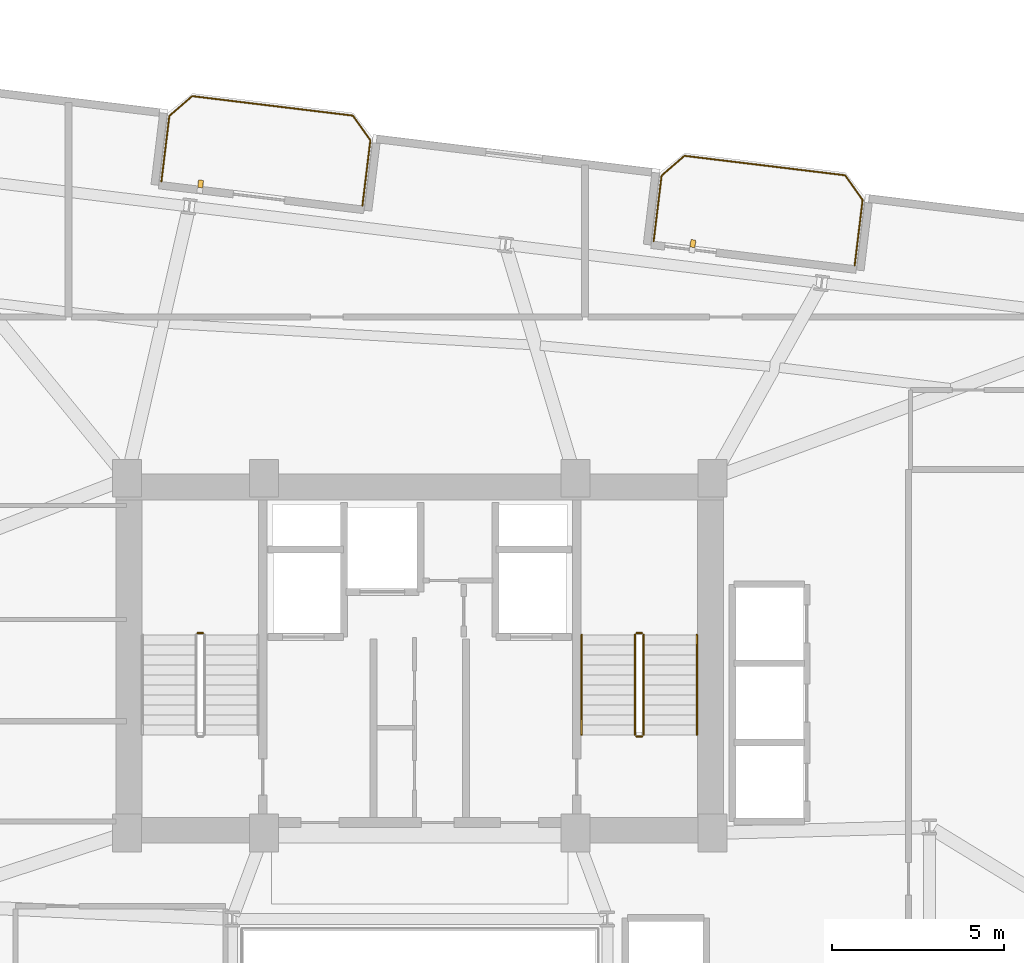
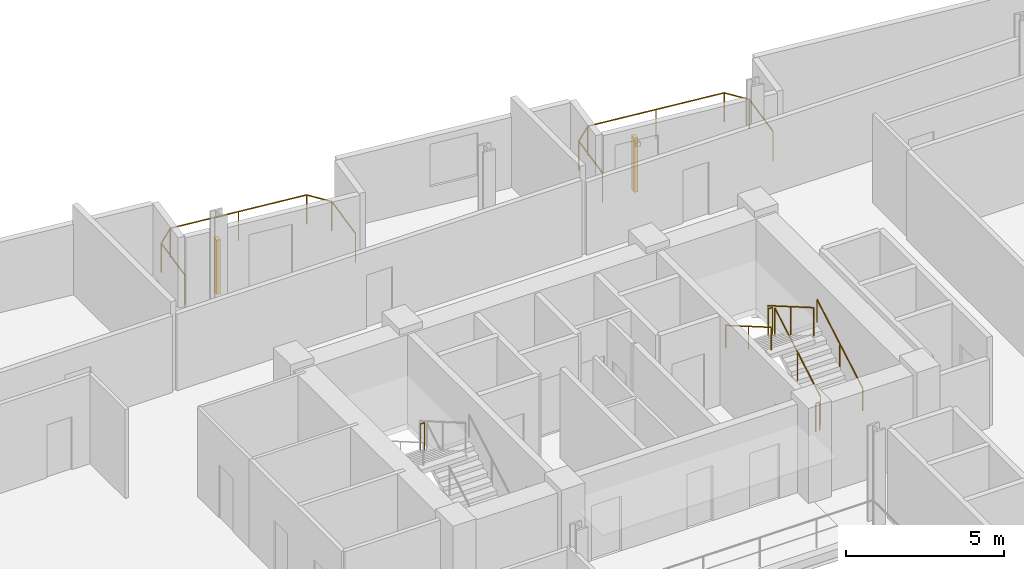
# One storey, part 26 of 26: 9 railings, 2 shading devices.
"""IFC4 building model written with IfcOpenShell, lengths in metres."""

from ifc_helpers import new_model, si_unit, direction, frame, origin, origin_2d, place, context, subcontext, project, spatial, rectangle, circle, extrude, source, transform, mapped, material, type_object, element, save


model = new_model("IFC4")

# Units and contexts
model_context = context("Model", 3, precision=1e-05, world=origin(), true_north=direction((0.0, 1.0)))
body_context = subcontext(model_context, "Body", "Model", "MODEL_VIEW")
ifc_project = project(units=[si_unit("LENGTHUNIT", "METRE"), si_unit("AREAUNIT", "SQUARE_METRE"), si_unit("VOLUMEUNIT", "CUBIC_METRE"), si_unit("PLANEANGLEUNIT", "RADIAN"), si_unit("MASSUNIT", "GRAM", prefix="KILO")], contexts=[model_context])

# Site, building, storey
site_placement = place(None, origin())
site = spatial("IfcSite", under=ifc_project, at=site_placement, CompositionType="ELEMENT")
building_placement = place(site_placement, origin())
building = spatial("IfcBuilding", under=site, at=building_placement, Name="Varnelok Gate Tower", CompositionType="ELEMENT")
storey_placement = place(building_placement, frame((0.0, 0.0, 155.0)))
storey = spatial("IfcBuildingStorey", under=building, at=storey_placement, Name="L39", CompositionType="ELEMENT", Elevation=155.0)

# Railings
ifc_material_1 = material(Name="Low-E Laminated Double Glazing IGU", Category="glass")
railing_type_1 = type_object("IfcRailingType", Name="RL-BALC-1150", PredefinedType="BALUSTRADE", material=ifc_material_1)
railing_1_placement = place(storey_placement, frame((31.697021484375, 47.66552734375, 0.0)))
element("IfcRailing", 1, at=railing_1_placement, inside=storey, type_object=railing_type_1, Name="L39 North Terrace Balustrade 3", PredefinedType="BALUSTRADE", context=body_context, shape_type="SweptSolid", body=[
    extrude(circle(Radius=0.02392578125, at=origin_2d()), frame((0.0, 0.0, 1.1259765625), z_axis=(0.120293392036, 0.992738384386, 0.0), x_axis=(-0.992738384386, 0.120293392036, 0.0)), (0.0, 0.0, 1.0), 1.919921875),
    extrude(circle(Radius=0.02392578125, at=origin_2d()), frame((0.23095703125, 1.906005859375, 1.1259765625), z_axis=(0.756422670136, 0.654083132411, 0.0), x_axis=(-0.654083132411, 0.756422670136, 0.0)), (0.0, 0.0, 1.0), 0.8779296875),
    extrude(circle(Radius=0.02392578125, at=origin_2d()), frame((0.89501953125, 2.480224609375, 1.1259765625), z_axis=(0.992730585037, -0.120357739811, 0.0), x_axis=(0.120357739811, 0.992730585037, 0.0)), (0.0, 0.0, 1.0), 4.699951171875),
    extrude(circle(Radius=0.02392578125, at=origin_2d()), frame((5.560791015625, 1.91455078125, 1.1259765625), z_axis=(0.578287426437, -0.81583310329, 0.0), x_axis=(0.81583310329, 0.578287426437, 0.0)), (0.0, 0.0, 1.0), 0.877685546875),
    extrude(circle(Radius=0.02392578125, at=origin_2d()), frame((6.068359375, 1.198486328125, 1.1259765625), z_axis=(-0.120418709125, -0.992723191274, 0.0), x_axis=(0.992723191274, -0.120418709125, 0.0)), (0.0, 0.0, 1.0), 1.919921875),
    extrude(circle(Radius=0.02099609375, at=origin_2d()), origin(), (0.0, 0.0, 1.0), 1.101806640625),
    extrude(circle(Radius=0.02099609375, at=origin_2d()), frame((0.23095703125, 1.906005859375, 0.0)), (0.0, 0.0, 1.0), 1.101806640625),
    extrude(circle(Radius=0.02099609375, at=origin_2d()), frame((0.89501953125, 2.480224609375, 0.0)), (0.0, 0.0, 1.0), 1.101806640625),
    extrude(circle(Radius=0.02099609375, at=origin_2d()), frame((3.22802734375, 2.197265625, 0.0)), (0.0, 0.0, 1.0), 1.101806640625),
    extrude(circle(Radius=0.02099609375, at=origin_2d()), frame((5.560791015625, 1.91455078125, 0.0)), (0.0, 0.0, 1.0), 1.101806640625),
    extrude(circle(Radius=0.02099609375, at=origin_2d()), frame((6.068359375, 1.198486328125, 0.0)), (0.0, 0.0, 1.0), 1.101806640625),
    extrude(circle(Radius=0.02099609375, at=origin_2d()), frame((5.837158203125, -0.70751953125, 0.0)), (0.0, 0.0, 1.0), 1.101806640625),
])
railing_2_placement = place(storey_placement, frame((45.992431640625, 45.9326171875, 0.0)))
element("IfcRailing", 2, at=railing_2_placement, inside=storey, type_object=railing_type_1, Name="L39 North Terrace Balustrade 4", PredefinedType="BALUSTRADE", context=body_context, shape_type="SweptSolid", body=[
    extrude(circle(Radius=0.02392578125, at=origin_2d()), frame((0.0, 0.0, 1.1259765625), z_axis=(0.120293392036, 0.992738384386, 0.0), x_axis=(-0.992738384386, 0.120293392036, 0.0)), (0.0, 0.0, 1.0), 1.919921875),
    extrude(circle(Radius=0.02392578125, at=origin_2d()), frame((0.23095703125, 1.906005859375, 1.1259765625), z_axis=(0.756422670136, 0.654083132411, 0.0), x_axis=(-0.654083132411, 0.756422670136, 0.0)), (0.0, 0.0, 1.0), 0.8779296875),
    extrude(circle(Radius=0.02392578125, at=origin_2d()), frame((0.89501953125, 2.480224609375, 1.1259765625), z_axis=(0.992730585037, -0.120357739811, 0.0), x_axis=(0.120357739811, 0.992730585037, 0.0)), (0.0, 0.0, 1.0), 4.699951171875),
    extrude(circle(Radius=0.02392578125, at=origin_2d()), frame((5.560791015625, 1.91455078125, 1.1259765625), z_axis=(0.57815621837, -0.815926091726, 0.0), x_axis=(0.815926091726, 0.57815621837, 0.0)), (0.0, 0.0, 1.0), 0.8779296875),
    extrude(circle(Radius=0.02392578125, at=origin_2d()), frame((6.068359375, 1.1982421875, 1.1259765625), z_axis=(-0.120418709125, -0.992723191274, 0.0), x_axis=(0.992723191274, -0.120418709125, 0.0)), (0.0, 0.0, 1.0), 1.919921875),
    extrude(circle(Radius=0.02099609375, at=origin_2d()), origin(), (0.0, 0.0, 1.0), 1.101806640625),
    extrude(circle(Radius=0.02099609375, at=origin_2d()), frame((0.23095703125, 1.906005859375, 0.0)), (0.0, 0.0, 1.0), 1.101806640625),
    extrude(circle(Radius=0.02099609375, at=origin_2d()), frame((0.89501953125, 2.480224609375, 0.0)), (0.0, 0.0, 1.0), 1.101806640625),
    extrude(circle(Radius=0.02099609375, at=origin_2d()), frame((3.22802734375, 2.197265625, 0.0)), (0.0, 0.0, 1.0), 1.101806640625),
    extrude(circle(Radius=0.02099609375, at=origin_2d()), frame((5.560791015625, 1.91455078125, 0.0)), (0.0, 0.0, 1.0), 1.101806640625),
    extrude(circle(Radius=0.02099609375, at=origin_2d()), frame((6.068359375, 1.1982421875, 0.0)), (0.0, 0.0, 1.0), 1.101806640625),
    extrude(circle(Radius=0.02099609375, at=origin_2d()), frame((5.837158203125, -0.707763671875, 0.0)), (0.0, 0.0, 1.0), 1.101806640625),
])
ifc_material_2 = material(Name="Brushed Stainless Steel AISI 316", Category="steel")
railing_type_2 = type_object("IfcRailingType", Name="RL-HANDRAIL-900", PredefinedType="HANDRAIL", material=ifc_material_2)
railing_3_placement = place(storey_placement, frame((47.25, 31.60009765625, 0.168212890625)))
element("IfcRailing", 3, at=railing_3_placement, inside=storey, type_object=railing_type_2, Name="L39 ST-2 stair handrail 1", PredefinedType="HANDRAIL", context=body_context, shape_type="SweptSolid", body=[
    extrude(circle(Radius=0.02392578125, at=origin_2d()), frame((0.0, 0.0, 0.8759765625), z_axis=(0.0, 0.865038774852, 0.501705010941), x_axis=(-1.0, 0.0, 0.0)), (0.0, 0.0, 1.0), 3.352294921875),
    extrude(circle(Radius=0.02099609375, at=origin_2d()), origin(), (0.0, 0.0, 1.0), 0.851806640625),
    extrude(circle(Radius=0.02099609375, at=origin_2d()), frame((0.0, 1.449951171875, 0.8408203125)), (0.0, 0.0, 1.0), 0.851806640625),
    extrude(circle(Radius=0.02099609375, at=origin_2d()), frame((0.0, 2.89990234375, 1.681884765625)), (0.0, 0.0, 1.0), 0.851806640625),
])
railing_4_placement = place(storey_placement, frame((43.89990234375, 34.5, 2.01806640625)))
element("IfcRailing", 4, at=railing_4_placement, inside=storey, type_object=railing_type_2, Name="L39 ST-2 stair handrail 2", PredefinedType="HANDRAIL", context=body_context, shape_type="SweptSolid", body=[
    extrude(circle(Radius=0.02392578125, at=origin_2d()), frame((0.0, 0.0, 0.8759765625), z_axis=(0.0, -0.865038774852, 0.501705010941), x_axis=(1.0, 0.0, 0.0)), (0.0, 0.0, 1.0), 3.352294921875),
    extrude(circle(Radius=0.02099609375, at=origin_2d()), origin(), (0.0, 0.0, 1.0), 0.851806640625),
    extrude(circle(Radius=0.02099609375, at=origin_2d()), frame((0.0, -1.449951171875, 0.8408203125)), (0.0, 0.0, 1.0), 0.851806640625),
    extrude(circle(Radius=0.02099609375, at=origin_2d()), frame((0.0, -2.89990234375, 1.681884765625)), (0.0, 0.0, 1.0), 0.851806640625),
])
ifc_material_3 = material(Name="Galvanized Steel Grade S350GD", Category="steel")
railing_type_3 = type_object("IfcRailingType", Name="RL-STAIR-GUARD1120", PredefinedType="GUARDRAIL", material=ifc_material_3)
railing_5_placement = place(storey_placement, frame((32.89990234375, 34.550048828125, 1.85009765625)))
element("IfcRailing", 5, at=railing_5_placement, inside=storey, type_object=railing_type_3, Name="L39 ST-1 stair guard 2", PredefinedType="GUARDRAIL", context=body_context, shape_type="SweptSolid", body=[
    extrude(circle(Radius=0.02392578125, at=origin_2d()), frame((0.0, 0.0, 1.09619140625), z_axis=(-1.0, 0.0, 0.0), x_axis=(0.0, -1.0, 0.0)), (0.0, 0.0, 1.0), 0.14990234375),
    extrude(circle(Radius=0.02099609375, at=origin_2d()), origin(), (0.0, 0.0, 1.0), 1.072021484375),
    extrude(circle(Radius=0.02099609375, at=origin_2d()), frame((-0.14990234375, 0.0, 0.0)), (0.0, 0.0, 1.0), 1.072021484375),
])
railing_6_placement = place(storey_placement, frame((45.699951171875, 31.60009765625, 0.168212890625)))
element("IfcRailing", 6, at=railing_6_placement, inside=storey, type_object=railing_type_3, Name="L39 ST-2 stair guard 1", PredefinedType="GUARDRAIL", context=body_context, shape_type="SweptSolid", body=[
    extrude(circle(Radius=0.02392578125, at=origin_2d()), frame((0.0, 0.0, 1.09619140625), z_axis=(0.0, 0.865038774852, 0.501705010941), x_axis=(-1.0, 0.0, 0.0)), (0.0, 0.0, 1.0), 3.352294921875),
    extrude(circle(Radius=0.02099609375, at=origin_2d()), origin(), (0.0, 0.0, 1.0), 1.072021484375),
    extrude(circle(Radius=0.02099609375, at=origin_2d()), frame((0.0, 1.449951171875, 0.8408203125)), (0.0, 0.0, 1.0), 1.072021484375),
    extrude(circle(Radius=0.02099609375, at=origin_2d()), frame((0.0, 2.89990234375, 1.681884765625)), (0.0, 0.0, 1.0), 1.072021484375),
])
railing_7_placement = place(storey_placement, frame((45.64990234375, 34.550048828125, 1.85009765625)))
element("IfcRailing", 7, at=railing_7_placement, inside=storey, type_object=railing_type_3, Name="L39 ST-2 stair guard 2", PredefinedType="GUARDRAIL", context=body_context, shape_type="SweptSolid", body=[
    extrude(circle(Radius=0.02392578125, at=origin_2d()), frame((0.0, 0.0, 1.09619140625), z_axis=(-1.0, 0.0, 0.0), x_axis=(0.0, -1.0, 0.0)), (0.0, 0.0, 1.0), 0.14990234375),
    extrude(circle(Radius=0.02099609375, at=origin_2d()), origin(), (0.0, 0.0, 1.0), 1.072021484375),
    extrude(circle(Radius=0.02099609375, at=origin_2d()), frame((-0.14990234375, 0.0, 0.0)), (0.0, 0.0, 1.0), 1.072021484375),
])
railing_8_placement = place(storey_placement, frame((45.449951171875, 34.5, 2.01806640625)))
element("IfcRailing", 8, at=railing_8_placement, inside=storey, type_object=railing_type_3, Name="L39 ST-2 stair guard 3", PredefinedType="GUARDRAIL", context=body_context, shape_type="SweptSolid", body=[
    extrude(circle(Radius=0.02392578125, at=origin_2d()), frame((0.0, 0.0, 1.09619140625), z_axis=(0.0, -0.865038774852, 0.501705010941), x_axis=(1.0, 0.0, 0.0)), (0.0, 0.0, 1.0), 3.352294921875),
    extrude(circle(Radius=0.02099609375, at=origin_2d()), origin(), (0.0, 0.0, 1.0), 1.072021484375),
    extrude(circle(Radius=0.02099609375, at=origin_2d()), frame((0.0, -1.449951171875, 0.8408203125)), (0.0, 0.0, 1.0), 1.072021484375),
    extrude(circle(Radius=0.02099609375, at=origin_2d()), frame((0.0, -2.89990234375, 1.681884765625)), (0.0, 0.0, 1.0), 1.072021484375),
])
railing_9_placement = place(storey_placement, frame((45.64990234375, 31.550048828125, 0.0)))
element("IfcRailing", 9, at=railing_9_placement, inside=storey, type_object=railing_type_3, Name="L39 ST-2 stair guard 4", PredefinedType="GUARDRAIL", context=body_context, shape_type="SweptSolid", body=[
    extrude(circle(Radius=0.02392578125, at=origin_2d()), frame((0.0, 0.0, 1.09619140625), z_axis=(-1.0, 0.0, 0.0), x_axis=(0.0, -1.0, 0.0)), (0.0, 0.0, 1.0), 0.14990234375),
    extrude(circle(Radius=0.02099609375, at=origin_2d()), origin(), (0.0, 0.0, 1.0), 1.072021484375),
    extrude(circle(Radius=0.02099609375, at=origin_2d()), frame((-0.14990234375, 0.0, 0.0)), (0.0, 0.0, 1.0), 1.072021484375),
])

# Shading devices
ifc_material_4 = material(Name="Glazed Architectural Terracotta Ceramic", Category="masonry")
shading_device_type = type_object("IfcShadingDeviceType", Name="SHD-TERRA-FIN", PredefinedType="USERDEFINED", material=ifc_material_4)
shared_shape = source(origin(), body_context, "Body", "SweptSolid", [
    extrude(rectangle(XDim=0.139892578125, YDim=0.219970703125, at=origin_2d()), origin(), (0.0, 0.0, 1.0), 2.10009765625),
])
for number, where, z_axis, x_axis, name in (
    (10, (32.837158203125, 47.597900390625, 0.099853515625), (0.0, 0.0, 1.0), (0.992732158755, -0.12034475881, 0.0), "L39 Terracotta Ceramic Baguette Sunscreen 3.1"),
    (11, (47.132568359375, 45.86474609375, 0.099853515625), (0.0, 0.0, 1.0), (0.992732158755, -0.12034475881, 0.0), "L39 Terracotta Ceramic Baguette Sunscreen 4.1"),
):
    element("IfcShadingDevice", number, at=place(storey_placement, frame(where, z_axis=z_axis, x_axis=x_axis)), inside=storey, type_object=shading_device_type, Name=name, ObjectType="BAGUETTE", PredefinedType="USERDEFINED", context=body_context, shape_type="MappedRepresentation", body=[
        mapped(shared_shape, transform((0.0, 0.0, 0.0), scale=1.0)),
    ])

save(model, "model.ifc")
